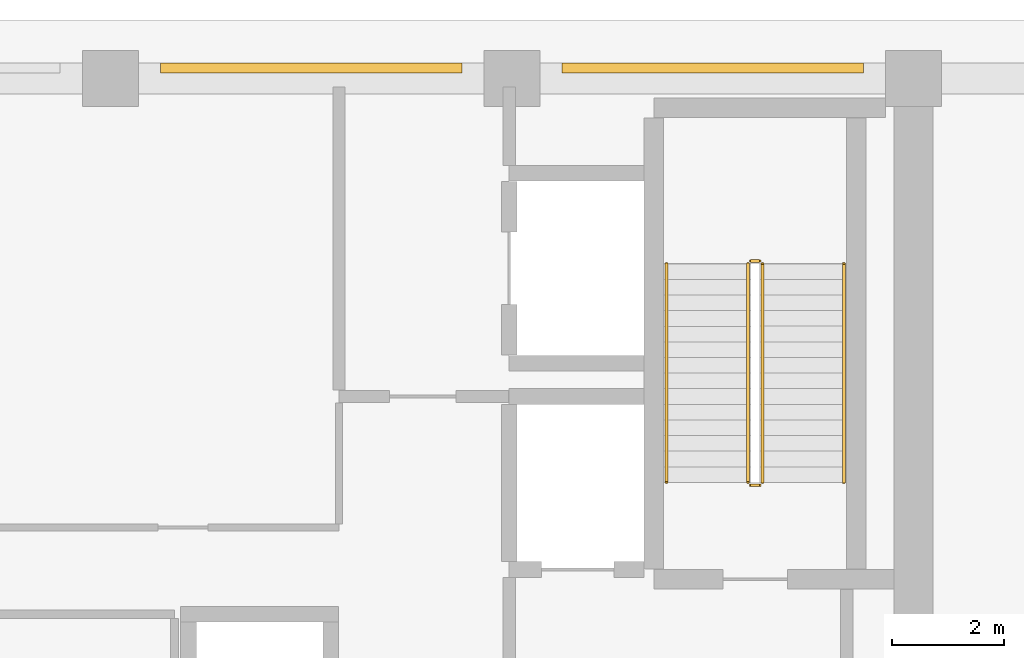
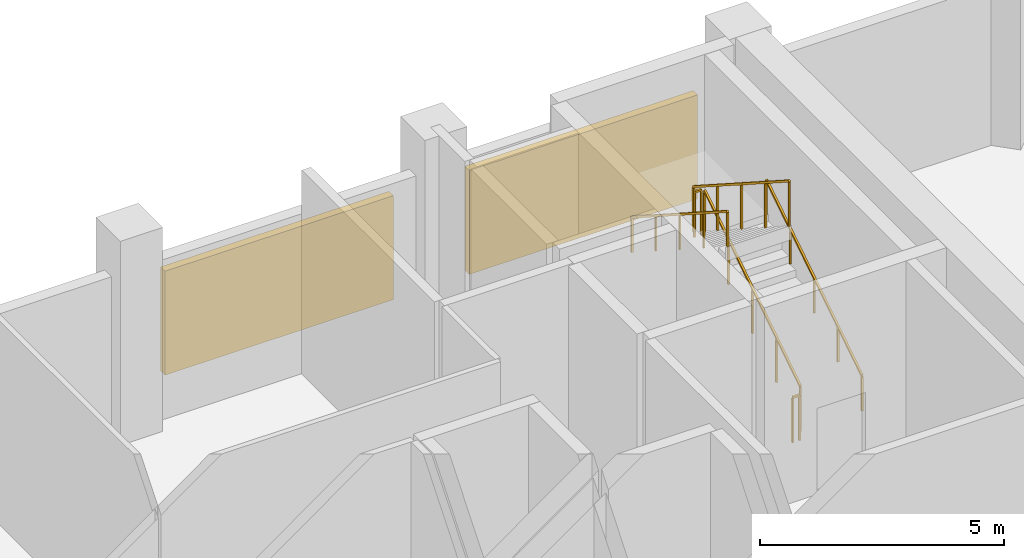
# One storey, part 11 of 11: 6 railings, 2 shading devices.
"""IFC4 building model written with IfcOpenShell, lengths in metres."""

from ifc_helpers import new_model, si_unit, direction, frame, origin, origin_2d, place, context, subcontext, project, spatial, rectangle, extrude, material, type_object, element, save


model = new_model("IFC4")

# Units and contexts
model_context = context("Model", 3, precision=1e-05, world=origin(), true_north=direction((0.0, 1.0)))
body_context = subcontext(model_context, "Body", "Model", "MODEL_VIEW")
ifc_project = project(units=[si_unit("LENGTHUNIT", "METRE"), si_unit("AREAUNIT", "SQUARE_METRE"), si_unit("VOLUMEUNIT", "CUBIC_METRE"), si_unit("PLANEANGLEUNIT", "RADIAN"), si_unit("MASSUNIT", "GRAM", prefix="KILO")], contexts=[model_context])

# Site, building, storey
site_placement = place(None, origin())
site = spatial("IfcSite", under=ifc_project, at=site_placement, CompositionType="ELEMENT")
building_placement = place(site_placement, origin())
building = spatial("IfcBuilding", under=site, at=building_placement, Name="Kaelvorn Grand Hotel", CompositionType="ELEMENT")
storey_placement = place(building_placement, frame((0.0, 0.0, 280.5)))
storey = spatial("IfcBuildingStorey", under=building, at=storey_placement, Name="L69", CompositionType="ELEMENT", Elevation=280.5)

# Railings
ifc_material_1 = material(Name="Stainless Steel", Category="steel")
railing_type_1 = type_object("IfcRailingType", Name="RL-HANDRAIL-900", PredefinedType="HANDRAIL", material=ifc_material_1)
railing_1_placement = place(storey_placement, frame((66.550048828125, 41.760009765625, 0.179931640625)))
element("IfcRailing", 1, at=railing_1_placement, inside=storey, type_object=railing_type_1, Name="L69 ST3 stair handrail 1", PredefinedType="HANDRAIL", context=body_context, shape_type="SweptSolid", body=[
    extrude(rectangle(XDim=0.048095703125, YDim=0.048095703125, at=origin_2d()), frame((0.0, 0.0, 0.8759765625), z_axis=(0.0, 0.841171666519, 0.540768182723), x_axis=(-1.0, 0.0, 0.0)), (0.0, 0.0, 1.0), 4.66015625),
    extrude(rectangle(XDim=0.0419921875, YDim=0.0419921875, at=origin_2d()), origin(), (0.0, 0.0, 1.0), 0.851806640625),
    extrude(rectangle(XDim=0.0419921875, YDim=0.0419921875, at=origin_2d()), frame((0.0, 0.97998046875, 0.6298828125)), (0.0, 0.0, 1.0), 0.851806640625),
    extrude(rectangle(XDim=0.0419921875, YDim=0.0419921875, at=origin_2d()), frame((0.0, 1.9599609375, 1.260009765625)), (0.0, 0.0, 1.0), 0.851806640625),
    extrude(rectangle(XDim=0.0419921875, YDim=0.0419921875, at=origin_2d()), frame((0.0, 2.93994140625, 1.89013671875)), (0.0, 0.0, 1.0), 0.851806640625),
    extrude(rectangle(XDim=0.0419921875, YDim=0.0419921875, at=origin_2d()), frame((0.0, 3.919921875, 2.52001953125)), (0.0, 0.0, 1.0), 0.851806640625),
])
railing_2_placement = place(storey_placement, frame((63.3701171875, 45.679931640625, 2.8798828125)))
element("IfcRailing", 2, at=railing_2_placement, inside=storey, type_object=railing_type_1, Name="L69 ST3 stair handrail 2", PredefinedType="HANDRAIL", context=body_context, shape_type="SweptSolid", body=[
    extrude(rectangle(XDim=0.048095703125, YDim=0.048095703125, at=origin_2d()), frame((0.0, 0.0, 0.8759765625), z_axis=(0.0, -0.841171666519, 0.540768182723), x_axis=(1.0, 0.0, 0.0)), (0.0, 0.0, 1.0), 4.66015625),
    extrude(rectangle(XDim=0.0419921875, YDim=0.0419921875, at=origin_2d()), origin(), (0.0, 0.0, 1.0), 0.851806640625),
    extrude(rectangle(XDim=0.0419921875, YDim=0.0419921875, at=origin_2d()), frame((0.0, -0.97998046875, 0.6298828125)), (0.0, 0.0, 1.0), 0.851806640625),
    extrude(rectangle(XDim=0.0419921875, YDim=0.0419921875, at=origin_2d()), frame((0.0, -1.9599609375, 1.260009765625)), (0.0, 0.0, 1.0), 0.851806640625),
    extrude(rectangle(XDim=0.0419921875, YDim=0.0419921875, at=origin_2d()), frame((0.0, -2.93994140625, 1.89013671875)), (0.0, 0.0, 1.0), 0.851806640625),
    extrude(rectangle(XDim=0.0419921875, YDim=0.0419921875, at=origin_2d()), frame((0.0, -3.919921875, 2.52001953125)), (0.0, 0.0, 1.0), 0.851806640625),
])
railing_type_2 = type_object("IfcRailingType", Name="RL-STAIR-GUARD-1150", PredefinedType="BALUSTRADE", material=ifc_material_1)
railing_3_placement = place(storey_placement, frame((65.090087890625, 41.760009765625, 0.179931640625)))
element("IfcRailing", 3, at=railing_3_placement, inside=storey, type_object=railing_type_2, Name="L69 ST3 stair guard 1", PredefinedType="BALUSTRADE", context=body_context, shape_type="SweptSolid", body=[
    extrude(rectangle(XDim=0.048095703125, YDim=0.048095703125, at=origin_2d()), frame((0.0, 0.0, 1.1259765625), z_axis=(0.0, 0.841171666519, 0.540768182723), x_axis=(-1.0, 0.0, 0.0)), (0.0, 0.0, 1.0), 4.66015625),
    extrude(rectangle(XDim=0.0419921875, YDim=0.0419921875, at=origin_2d()), origin(), (0.0, 0.0, 1.0), 1.101806640625),
    extrude(rectangle(XDim=0.0419921875, YDim=0.0419921875, at=origin_2d()), frame((0.0, 0.97998046875, 0.6298828125)), (0.0, 0.0, 1.0), 1.101806640625),
    extrude(rectangle(XDim=0.0419921875, YDim=0.0419921875, at=origin_2d()), frame((0.0, 1.9599609375, 1.260009765625)), (0.0, 0.0, 1.0), 1.101806640625),
    extrude(rectangle(XDim=0.0419921875, YDim=0.0419921875, at=origin_2d()), frame((0.0, 2.93994140625, 1.89013671875)), (0.0, 0.0, 1.0), 1.101806640625),
    extrude(rectangle(XDim=0.0419921875, YDim=0.0419921875, at=origin_2d()), frame((0.0, 3.919921875, 2.52001953125)), (0.0, 0.0, 1.0), 1.101806640625),
])
railing_4_placement = place(storey_placement, frame((65.0400390625, 45.72998046875, 2.699951171875)))
element("IfcRailing", 4, at=railing_4_placement, inside=storey, type_object=railing_type_2, Name="L69 ST3 stair guard 2", PredefinedType="BALUSTRADE", context=body_context, shape_type="SweptSolid", body=[
    extrude(rectangle(XDim=0.048095703125, YDim=0.048095703125, at=origin_2d()), frame((0.0, 0.0, 1.1259765625), z_axis=(-1.0, 0.0, 0.0), x_axis=(0.0, -1.0, 0.0)), (0.0, 0.0, 1.0), 0.16015625),
    extrude(rectangle(XDim=0.0419921875, YDim=0.0419921875, at=origin_2d()), origin(), (0.0, 0.0, 1.0), 1.101806640625),
    extrude(rectangle(XDim=0.0419921875, YDim=0.0419921875, at=origin_2d()), frame((-0.16015625, 0.0, 0.0)), (0.0, 0.0, 1.0), 1.101806640625),
])
railing_5_placement = place(storey_placement, frame((64.830078125, 45.679931640625, 2.8798828125)))
element("IfcRailing", 5, at=railing_5_placement, inside=storey, type_object=railing_type_2, Name="L69 ST3 stair guard 3", PredefinedType="BALUSTRADE", context=body_context, shape_type="SweptSolid", body=[
    extrude(rectangle(XDim=0.048095703125, YDim=0.048095703125, at=origin_2d()), frame((0.0, 0.0, 1.1259765625), z_axis=(0.0, -0.841171666519, 0.540768182723), x_axis=(1.0, 0.0, 0.0)), (0.0, 0.0, 1.0), 4.66015625),
    extrude(rectangle(XDim=0.0419921875, YDim=0.0419921875, at=origin_2d()), origin(), (0.0, 0.0, 1.0), 1.101806640625),
    extrude(rectangle(XDim=0.0419921875, YDim=0.0419921875, at=origin_2d()), frame((0.0, -0.97998046875, 0.6298828125)), (0.0, 0.0, 1.0), 1.101806640625),
    extrude(rectangle(XDim=0.0419921875, YDim=0.0419921875, at=origin_2d()), frame((0.0, -1.9599609375, 1.260009765625)), (0.0, 0.0, 1.0), 1.101806640625),
    extrude(rectangle(XDim=0.0419921875, YDim=0.0419921875, at=origin_2d()), frame((0.0, -2.93994140625, 1.89013671875)), (0.0, 0.0, 1.0), 1.101806640625),
    extrude(rectangle(XDim=0.0419921875, YDim=0.0419921875, at=origin_2d()), frame((0.0, -3.919921875, 2.52001953125)), (0.0, 0.0, 1.0), 1.101806640625),
])
railing_6_placement = place(storey_placement, frame((65.0400390625, 41.7099609375, 0.0)))
element("IfcRailing", 6, at=railing_6_placement, inside=storey, type_object=railing_type_2, Name="L69 ST3 stair guard 4", PredefinedType="BALUSTRADE", context=body_context, shape_type="SweptSolid", body=[
    extrude(rectangle(XDim=0.048095703125, YDim=0.048095703125, at=origin_2d()), frame((0.0, 0.0, 1.1259765625), z_axis=(-1.0, 0.0, 0.0), x_axis=(0.0, -1.0, 0.0)), (0.0, 0.0, 1.0), 0.16015625),
    extrude(rectangle(XDim=0.0419921875, YDim=0.0419921875, at=origin_2d()), origin(), (0.0, 0.0, 1.0), 1.101806640625),
    extrude(rectangle(XDim=0.0419921875, YDim=0.0419921875, at=origin_2d()), frame((-0.16015625, 0.0, 0.0)), (0.0, 0.0, 1.0), 1.101806640625),
])

# Shading devices
ifc_material_2 = material(Name="Anodised Aluminium", Category="aluminium")
shading_device_type = type_object("IfcShadingDeviceType", Name="SHD-LOUVRE-PLANT", PredefinedType="USERDEFINED", material=ifc_material_2)
for number, where, z_axis, x_axis, name in (
    (7, (57.0, 49.18994140625, 0.89990234375), (0.0, 0.0, 1.0), (1.0, 0.0, 0.0), "L69 Mechanical Plant Aluminium Louvre Screen N6"),
    (8, (64.199951171875, 49.18994140625, 0.89990234375), (0.0, 0.0, 1.0), (1.0, 0.0, 0.0), "L69 Mechanical Plant Aluminium Louvre Screen N7"),
):
    element("IfcShadingDevice", number, at=place(storey_placement, frame(where, z_axis=z_axis, x_axis=x_axis)), inside=storey, type_object=shading_device_type, Name=name, ObjectType="LOUVRE", PredefinedType="USERDEFINED", context=body_context, shape_type="SweptSolid", body=[
        extrude(rectangle(XDim=5.39990234375, YDim=0.179931640625, at=origin_2d()), origin(), (0.0, 0.0, 1.0), 2.60009765625),
    ])

save(model, "model.ifc")
